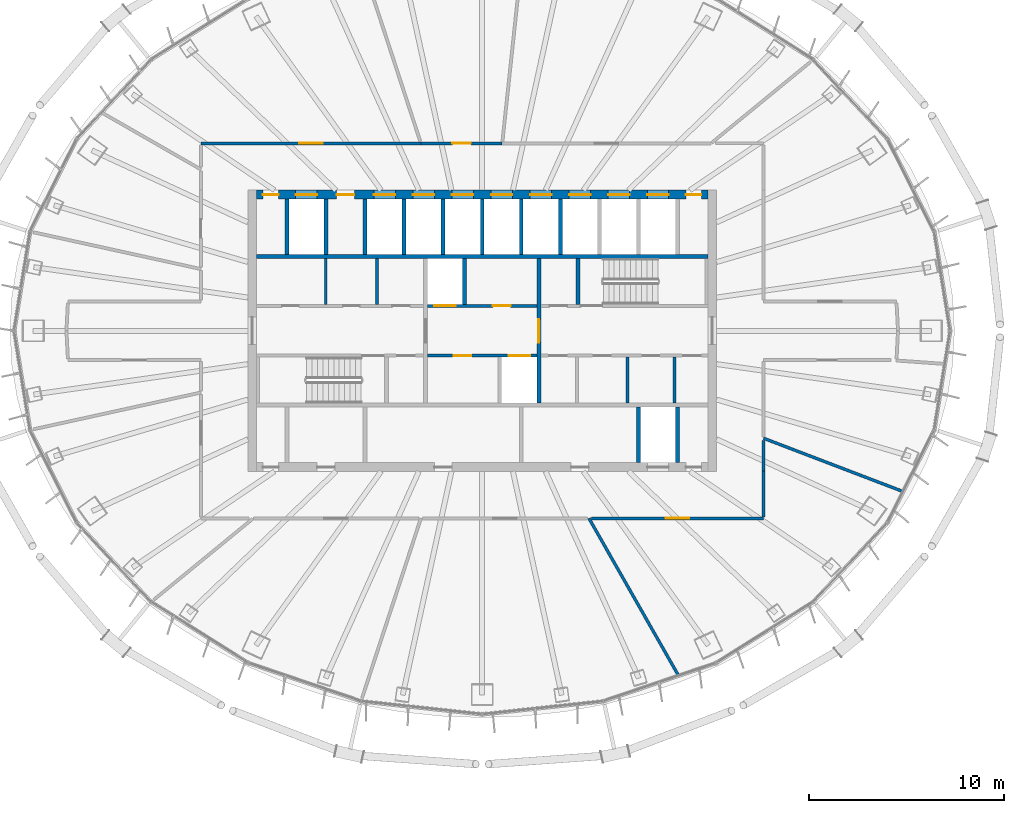
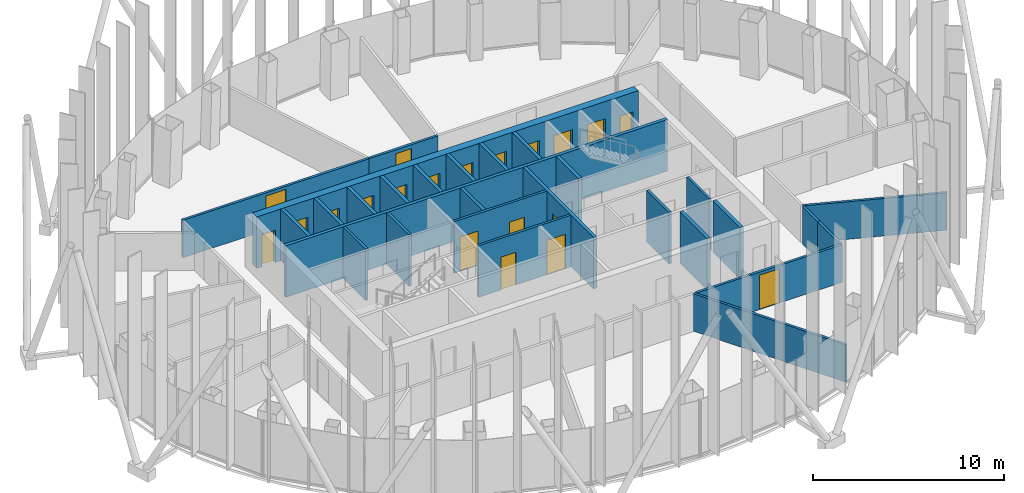
# One storey, part 10 of 18: 28 walls, 20 doors, 20 openings.
"""IFC4 building model written with IfcOpenShell, lengths in metres."""

from ifc_helpers import new_model, si_unit, direction, frame, frame_2d, origin, place, context, subcontext, project, spatial, rectangle, extrude, material, layer, layer_set, type_object, element, fill, save


model = new_model("IFC4")

# Units and contexts
model_context = context("Model", 3, precision=1e-05, world=origin(), true_north=direction((0.0, 1.0)))
body_context = subcontext(model_context, "Body", "Model", "MODEL_VIEW")
ifc_project = project(units=[si_unit("LENGTHUNIT", "METRE"), si_unit("AREAUNIT", "SQUARE_METRE"), si_unit("VOLUMEUNIT", "CUBIC_METRE"), si_unit("PLANEANGLEUNIT", "RADIAN"), si_unit("MASSUNIT", "GRAM", prefix="KILO")], contexts=[model_context])

# Site, building, storey
site_placement = place(None, origin())
site = spatial("IfcSite", under=ifc_project, at=site_placement, CompositionType="ELEMENT")
building_placement = place(site_placement, origin())
building = spatial("IfcBuilding", under=site, at=building_placement, Name="Siaravel Broadcast Tower", CompositionType="ELEMENT")
storey_placement = place(building_placement, frame((0.0, 0.0, 157.10009765625)))
storey = spatial("IfcBuildingStorey", under=building, at=storey_placement, Name="L37", CompositionType="ELEMENT", Elevation=157.10009765625)

# Walls
ifc_material_1 = material(Name="Concrete blockwork", Category="masonry")
ifc_layer_1 = layer(ifc_material_1, 0.14990234375)
ifc_layer_set_1 = layer_set([ifc_layer_1], Name="Concrete blockwork")
wall_type_1 = type_object("IfcWallType", Name="Core partition 150", PredefinedType="PARTITIONING", material=ifc_layer_set_1)
for number, where, z_axis, x_axis, name in (
    (1, (-8.010009765625, 1.35009765625, 0.0), (0.0, 0.0, 1.0), (0.0, 1.0, 0.0), "L37 core partition PNW0"),
    (2, (-5.385009765625, 1.35009765625, 0.0), (0.0, 0.0, 1.0), (0.0, 1.0, 0.0), "L37 core partition PNW1"),
    (3, (7.43701171875, -3.699951171875, 0.0), (0.0, 0.0, 1.0), (0.0, 1.0, 0.0), "L37 core partition PSE1"),
    (4, (9.85498046875, -3.699951171875, 0.0), (0.0, 0.0, 1.0), (0.0, 1.0, 0.0), "L37 core partition PSE2"),
):
    element("IfcWall", number, at=place(storey_placement, frame(where, z_axis=z_axis, x_axis=x_axis)), inside=storey, type_object=wall_type_1, Name=name, PredefinedType="PARTITIONING", context=body_context, shape_type="SweptSolid", body=[
        extrude(rectangle(XDim=2.349853515625, YDim=0.14990234375, at=frame_2d((1.1748046875, 0.0))), origin(), (0.0, 0.0, 1.0), 3.2998046875),
    ])

# Wall, openings, doors
ifc_material_2 = material(Name="Concrete C60/75", Category="concrete")
ifc_layer_2 = layer(ifc_material_2, 0.449951171875)
ifc_layer_set_2 = layer_set([ifc_layer_2], Name="Concrete C60/75")
wall_type_2 = type_object("IfcWallType", Name="Core wall 450", PredefinedType="SHEAR", material=ifc_layer_set_2)
wall_1_placement = place(storey_placement, frame((-11.550048828125, 6.97509765625, 0.0), z_axis=(0.0, 0.0, 1.0), x_axis=(1.0, 0.0, 0.0)))
wall_1 = element("IfcWall", 5, at=wall_1_placement, inside=storey, type_object=wall_type_2, Name="L37 core wall ON", PredefinedType="SHEAR", context=body_context, shape_type="SweptSolid", body=[
    extrude(rectangle(XDim=23.10009765625, YDim=0.449951171875, at=frame_2d((11.550048828125, 0.0))), origin(), (0.0, 0.0, 1.0), 3.2998046875),
])
opening_1_placement = place(wall_1_placement, frame((2.0, 0.0, 0.0)))
opening_1 = element("IfcOpeningElement", 6, at=opening_1_placement, cuts=wall_1, Name="Opening LD-SV2-L37", PredefinedType="OPENING", context=body_context, shape_type="SweptSolid", body=[
    extrude(rectangle(XDim=1.10009765625, YDim=2.199951171875, at=frame_2d((0.550048828125, 1.10009765625))), frame((0.0, 0.23486328125, 0.0), z_axis=(0.0, -1.0, 0.0), x_axis=(1.0, 0.0, 0.0)), (0.0, 0.0, 1.0), 0.469970703125),
])
opening_2_placement = place(wall_1_placement, frame((6.0, 0.0, 0.0)))
opening_2 = element("IfcOpeningElement", 7, at=opening_2_placement, cuts=wall_1, Name="Opening LD-HP1-L37", PredefinedType="OPENING", context=body_context, shape_type="SweptSolid", body=[
    extrude(rectangle(XDim=1.10009765625, YDim=2.199951171875, at=frame_2d((0.550048828125, 1.10009765625))), frame((0.0, 0.23486328125, 0.0), z_axis=(0.0, -1.0, 0.0), x_axis=(1.0, 0.0, 0.0)), (0.0, 0.0, 1.0), 0.469970703125),
])
opening_3_placement = place(wall_1_placement, frame((8.0, 0.0, 0.0)))
opening_3 = element("IfcOpeningElement", 8, at=opening_3_placement, cuts=wall_1, Name="Opening LD-HP2-L37", PredefinedType="OPENING", context=body_context, shape_type="SweptSolid", body=[
    extrude(rectangle(XDim=1.10009765625, YDim=2.199951171875, at=frame_2d((0.550048828125, 1.10009765625))), frame((0.0, 0.23486328125, 0.0), z_axis=(0.0, -1.0, 0.0), x_axis=(1.0, 0.0, 0.0)), (0.0, 0.0, 1.0), 0.469970703125),
])
opening_4_placement = place(wall_1_placement, frame((10.0, 0.0, 0.0)))
opening_4 = element("IfcOpeningElement", 9, at=opening_4_placement, cuts=wall_1, Name="Opening LD-HP3-L37", PredefinedType="OPENING", context=body_context, shape_type="SweptSolid", body=[
    extrude(rectangle(XDim=1.10009765625, YDim=2.199951171875, at=frame_2d((0.550048828125, 1.10009765625))), frame((0.0, 0.23486328125, 0.0), z_axis=(0.0, -1.0, 0.0), x_axis=(1.0, 0.0, 0.0)), (0.0, 0.0, 1.0), 0.469970703125),
])
opening_5_placement = place(wall_1_placement, frame((12.0, 0.0, 0.0)))
opening_5 = element("IfcOpeningElement", 10, at=opening_5_placement, cuts=wall_1, Name="Opening LD-HP4-L37", PredefinedType="OPENING", context=body_context, shape_type="SweptSolid", body=[
    extrude(rectangle(XDim=1.10009765625, YDim=2.199951171875, at=frame_2d((0.550048828125, 1.10009765625))), frame((0.0, 0.23486328125, 0.0), z_axis=(0.0, -1.0, 0.0), x_axis=(1.0, 0.0, 0.0)), (0.0, 0.0, 1.0), 0.469970703125),
])
opening_6_placement = place(wall_1_placement, frame((14.0, 0.0, 0.0)))
opening_6 = element("IfcOpeningElement", 11, at=opening_6_placement, cuts=wall_1, Name="Opening LD-HP5-L37", PredefinedType="OPENING", context=body_context, shape_type="SweptSolid", body=[
    extrude(rectangle(XDim=1.10009765625, YDim=2.199951171875, at=frame_2d((0.550048828125, 1.10009765625))), frame((0.0, 0.23486328125, 0.0), z_axis=(0.0, -1.0, 0.0), x_axis=(1.0, 0.0, 0.0)), (0.0, 0.0, 1.0), 0.469970703125),
])
opening_7_placement = place(wall_1_placement, frame((16.0, 0.0, 0.0)))
opening_7 = element("IfcOpeningElement", 12, at=opening_7_placement, cuts=wall_1, Name="Opening LD-HP6-L37", PredefinedType="OPENING", context=body_context, shape_type="SweptSolid", body=[
    extrude(rectangle(XDim=1.10009765625, YDim=2.199951171875, at=frame_2d((0.550048828125, 1.10009765625))), frame((0.0, 0.23486328125, 0.0), z_axis=(0.0, -1.0, 0.0), x_axis=(1.0, 0.0, 0.0)), (0.0, 0.0, 1.0), 0.469970703125),
])
opening_8_placement = place(wall_1_placement, frame((18.0, 0.0, 0.0)))
opening_8 = element("IfcOpeningElement", 13, at=opening_8_placement, cuts=wall_1, Name="Opening LD-HP7-L37", PredefinedType="OPENING", context=body_context, shape_type="SweptSolid", body=[
    extrude(rectangle(XDim=1.10009765625, YDim=2.199951171875, at=frame_2d((0.550048828125, 1.10009765625))), frame((0.0, 0.23486328125, 0.0), z_axis=(0.0, -1.0, 0.0), x_axis=(1.0, 0.0, 0.0)), (0.0, 0.0, 1.0), 0.469970703125),
])
opening_9_placement = place(wall_1_placement, frame((20.0, 0.0, 0.0)))
opening_9 = element("IfcOpeningElement", 14, at=opening_9_placement, cuts=wall_1, Name="Opening LD-HP8-L37", PredefinedType="OPENING", context=body_context, shape_type="SweptSolid", body=[
    extrude(rectangle(XDim=1.10009765625, YDim=2.199951171875, at=frame_2d((0.550048828125, 1.10009765625))), frame((0.0, 0.23486328125, 0.0), z_axis=(0.0, -1.0, 0.0), x_axis=(1.0, 0.0, 0.0)), (0.0, 0.0, 1.0), 0.469970703125),
])
opening_10_placement = place(wall_1_placement, frame((4.10009765625, 0.0, 0.0)))
opening_10 = element("IfcOpeningElement", 15, at=opening_10_placement, cuts=wall_1, Name="Opening L37-DFN1", PredefinedType="OPENING", context=body_context, shape_type="SweptSolid", body=[
    extrude(rectangle(XDim=0.89990234375, YDim=2.10009765625, at=frame_2d((0.449951171875, 1.050048828125))), frame((0.0, 0.23486328125, 0.0), z_axis=(0.0, -1.0, 0.0), x_axis=(1.0, 0.0, 0.0)), (0.0, 0.0, 1.0), 0.469970703125),
])
opening_11_placement = place(wall_1_placement, frame((0.324951171875, 0.0, 0.0)))
opening_11 = element("IfcOpeningElement", 16, at=opening_11_placement, cuts=wall_1, Name="Opening L37-DRNW", PredefinedType="OPENING", context=body_context, shape_type="SweptSolid", body=[
    extrude(rectangle(XDim=0.800048828125, YDim=2.050048828125, at=frame_2d((0.39990234375, 1.02490234375))), frame((0.0, 0.23486328125, 0.0), z_axis=(0.0, -1.0, 0.0), x_axis=(1.0, 0.0, 0.0)), (0.0, 0.0, 1.0), 0.469970703125),
])
opening_12_placement = place(wall_1_placement, frame((21.97509765625, 0.0, 0.0)))
opening_12 = element("IfcOpeningElement", 17, at=opening_12_placement, cuts=wall_1, Name="Opening L37-DRNE", PredefinedType="OPENING", context=body_context, shape_type="SweptSolid", body=[
    extrude(rectangle(XDim=0.800048828125, YDim=2.050048828125, at=frame_2d((0.39990234375, 1.02490234375))), frame((0.0, 0.23486328125, 0.0), z_axis=(0.0, -1.0, 0.0), x_axis=(1.0, 0.0, 0.0)), (0.0, 0.0, 1.0), 0.469970703125),
])
ifc_material_3 = material(Name="Timber veneer", Category="wood")
door_type_1 = type_object("IfcDoorType", Name="Core room door 900", OperationType="SINGLE_SWING_LEFT", PredefinedType="DOOR", material=ifc_material_3)
door_1_placement = place(opening_10_placement, origin())
door_1 = element("IfcDoor", 18, at=door_1_placement, inside=storey, type_object=door_type_1, Name="L37 door DFN1", OperationType="SINGLE_SWING_LEFT", OverallHeight=2.10009765625, OverallWidth=0.89990234375, PredefinedType="DOOR", context=body_context, shape_type="SweptSolid", body=[
    extrude(rectangle(XDim=0.89990234375, YDim=2.10009765625, at=frame_2d((0.449951171875, 1.050048828125))), frame((0.0, 0.02490234375, 0.0), z_axis=(0.0, -1.0, 0.0), x_axis=(1.0, 0.0, 0.0)), (0.0, 0.0, 1.0), 0.050048828125),
])
fill(opening_10, door_1)
ifc_material_4 = material(Name="Stainless steel 316L", Category="steel")
door_type_2 = type_object("IfcDoorType", Name="Lift landing door 1100", OperationType="DOUBLE_DOOR_SLIDING", PredefinedType="DOOR", material=ifc_material_4)
door_2_placement = place(opening_2_placement, origin())
door_2 = element("IfcDoor", 19, at=door_2_placement, inside=storey, type_object=door_type_2, Name="Landing door HP1 L37", OperationType="DOUBLE_DOOR_SLIDING", OverallHeight=2.199951171875, OverallWidth=1.10009765625, PredefinedType="DOOR", context=body_context, shape_type="SweptSolid", body=[
    extrude(rectangle(XDim=1.10009765625, YDim=2.199951171875, at=frame_2d((0.550048828125, 1.10009765625))), frame((0.0, 0.02490234375, 0.0), z_axis=(0.0, -1.0, 0.0), x_axis=(1.0, 0.0, 0.0)), (0.0, 0.0, 1.0), 0.050048828125),
])
fill(opening_2, door_2)
door_3_placement = place(opening_3_placement, origin())
door_3 = element("IfcDoor", 20, at=door_3_placement, inside=storey, type_object=door_type_2, Name="Landing door HP2 L37", OperationType="DOUBLE_DOOR_SLIDING", OverallHeight=2.199951171875, OverallWidth=1.10009765625, PredefinedType="DOOR", context=body_context, shape_type="SweptSolid", body=[
    extrude(rectangle(XDim=1.10009765625, YDim=2.199951171875, at=frame_2d((0.550048828125, 1.10009765625))), frame((0.0, 0.02490234375, 0.0), z_axis=(0.0, -1.0, 0.0), x_axis=(1.0, 0.0, 0.0)), (0.0, 0.0, 1.0), 0.050048828125),
])
fill(opening_3, door_3)
door_4_placement = place(opening_4_placement, origin())
door_4 = element("IfcDoor", 21, at=door_4_placement, inside=storey, type_object=door_type_2, Name="Landing door HP3 L37", OperationType="DOUBLE_DOOR_SLIDING", OverallHeight=2.199951171875, OverallWidth=1.10009765625, PredefinedType="DOOR", context=body_context, shape_type="SweptSolid", body=[
    extrude(rectangle(XDim=1.10009765625, YDim=2.199951171875, at=frame_2d((0.550048828125, 1.10009765625))), frame((0.0, 0.02490234375, 0.0), z_axis=(0.0, -1.0, 0.0), x_axis=(1.0, 0.0, 0.0)), (0.0, 0.0, 1.0), 0.050048828125),
])
fill(opening_4, door_4)
door_5_placement = place(opening_5_placement, origin())
door_5 = element("IfcDoor", 22, at=door_5_placement, inside=storey, type_object=door_type_2, Name="Landing door HP4 L37", OperationType="DOUBLE_DOOR_SLIDING", OverallHeight=2.199951171875, OverallWidth=1.10009765625, PredefinedType="DOOR", context=body_context, shape_type="SweptSolid", body=[
    extrude(rectangle(XDim=1.10009765625, YDim=2.199951171875, at=frame_2d((0.550048828125, 1.10009765625))), frame((0.0, 0.02490234375, 0.0), z_axis=(0.0, -1.0, 0.0), x_axis=(1.0, 0.0, 0.0)), (0.0, 0.0, 1.0), 0.050048828125),
])
fill(opening_5, door_5)
door_6_placement = place(opening_6_placement, origin())
door_6 = element("IfcDoor", 23, at=door_6_placement, inside=storey, type_object=door_type_2, Name="Landing door HP5 L37", OperationType="DOUBLE_DOOR_SLIDING", OverallHeight=2.199951171875, OverallWidth=1.10009765625, PredefinedType="DOOR", context=body_context, shape_type="SweptSolid", body=[
    extrude(rectangle(XDim=1.10009765625, YDim=2.199951171875, at=frame_2d((0.550048828125, 1.10009765625))), frame((0.0, 0.02490234375, 0.0), z_axis=(0.0, -1.0, 0.0), x_axis=(1.0, 0.0, 0.0)), (0.0, 0.0, 1.0), 0.050048828125),
])
fill(opening_6, door_6)
door_7_placement = place(opening_7_placement, origin())
door_7 = element("IfcDoor", 24, at=door_7_placement, inside=storey, type_object=door_type_2, Name="Landing door HP6 L37", OperationType="DOUBLE_DOOR_SLIDING", OverallHeight=2.199951171875, OverallWidth=1.10009765625, PredefinedType="DOOR", context=body_context, shape_type="SweptSolid", body=[
    extrude(rectangle(XDim=1.10009765625, YDim=2.199951171875, at=frame_2d((0.550048828125, 1.10009765625))), frame((0.0, 0.02490234375, 0.0), z_axis=(0.0, -1.0, 0.0), x_axis=(1.0, 0.0, 0.0)), (0.0, 0.0, 1.0), 0.050048828125),
])
fill(opening_7, door_7)
door_8_placement = place(opening_8_placement, origin())
door_8 = element("IfcDoor", 25, at=door_8_placement, inside=storey, type_object=door_type_2, Name="Landing door HP7 L37", OperationType="DOUBLE_DOOR_SLIDING", OverallHeight=2.199951171875, OverallWidth=1.10009765625, PredefinedType="DOOR", context=body_context, shape_type="SweptSolid", body=[
    extrude(rectangle(XDim=1.10009765625, YDim=2.199951171875, at=frame_2d((0.550048828125, 1.10009765625))), frame((0.0, 0.02490234375, 0.0), z_axis=(0.0, -1.0, 0.0), x_axis=(1.0, 0.0, 0.0)), (0.0, 0.0, 1.0), 0.050048828125),
])
fill(opening_8, door_8)
door_9_placement = place(opening_9_placement, origin())
door_9 = element("IfcDoor", 26, at=door_9_placement, inside=storey, type_object=door_type_2, Name="Landing door HP8 L37", OperationType="DOUBLE_DOOR_SLIDING", OverallHeight=2.199951171875, OverallWidth=1.10009765625, PredefinedType="DOOR", context=body_context, shape_type="SweptSolid", body=[
    extrude(rectangle(XDim=1.10009765625, YDim=2.199951171875, at=frame_2d((0.550048828125, 1.10009765625))), frame((0.0, 0.02490234375, 0.0), z_axis=(0.0, -1.0, 0.0), x_axis=(1.0, 0.0, 0.0)), (0.0, 0.0, 1.0), 0.050048828125),
])
fill(opening_9, door_9)
ifc_material_5 = material(Name="Steel", Category="steel")
door_type_3 = type_object("IfcDoorType", Name="Riser door 800", OperationType="SINGLE_SWING_LEFT", PredefinedType="DOOR", material=ifc_material_5)
door_10_placement = place(opening_11_placement, origin())
door_10 = element("IfcDoor", 27, at=door_10_placement, inside=storey, type_object=door_type_3, Name="L37 door DRNW", OperationType="SINGLE_SWING_LEFT", OverallHeight=2.050048828125, OverallWidth=0.800048828125, PredefinedType="DOOR", context=body_context, shape_type="SweptSolid", body=[
    extrude(rectangle(XDim=0.800048828125, YDim=2.050048828125, at=frame_2d((0.39990234375, 1.02490234375))), frame((0.0, 0.02490234375, 0.0), z_axis=(0.0, -1.0, 0.0), x_axis=(1.0, 0.0, 0.0)), (0.0, 0.0, 1.0), 0.050048828125),
])
fill(opening_11, door_10)
door_11_placement = place(opening_12_placement, origin())
door_11 = element("IfcDoor", 28, at=door_11_placement, inside=storey, type_object=door_type_3, Name="L37 door DRNE", OperationType="SINGLE_SWING_LEFT", OverallHeight=2.050048828125, OverallWidth=0.800048828125, PredefinedType="DOOR", context=body_context, shape_type="SweptSolid", body=[
    extrude(rectangle(XDim=0.800048828125, YDim=2.050048828125, at=frame_2d((0.39990234375, 1.02490234375))), frame((0.0, 0.02490234375, 0.0), z_axis=(0.0, -1.0, 0.0), x_axis=(1.0, 0.0, 0.0)), (0.0, 0.0, 1.0), 0.050048828125),
])
fill(opening_12, door_11)
door_type_4 = type_object("IfcDoorType", Name="Service lift landing door 1100", OperationType="DOUBLE_DOOR_SLIDING", PredefinedType="DOOR", material=ifc_material_4)
door_12_placement = place(opening_1_placement, origin())
door_12 = element("IfcDoor", 29, at=door_12_placement, inside=storey, type_object=door_type_4, Name="Landing door SV2 L37", OperationType="DOUBLE_DOOR_SLIDING", OverallHeight=2.199951171875, OverallWidth=1.10009765625, PredefinedType="DOOR", context=body_context, shape_type="SweptSolid", body=[
    extrude(rectangle(XDim=1.10009765625, YDim=2.199951171875, at=frame_2d((0.550048828125, 1.10009765625))), frame((0.0, 0.02490234375, 0.0), z_axis=(0.0, -1.0, 0.0), x_axis=(1.0, 0.0, 0.0)), (0.0, 0.0, 1.0), 0.050048828125),
])
fill(opening_1, door_12)

# Wall, opening, door
ifc_material_6 = material(Name="Gypsum board partition", Category="gypsum")
ifc_layer_3 = layer(ifc_material_6, 0.14990234375)
ifc_layer_set_3 = layer_set([ifc_layer_3], Name="Gypsum board partition")
wall_type_3 = type_object("IfcWallType", Name="Corridor wall 150", PredefinedType="PARTITIONING", material=ifc_layer_set_3)
wall_2_placement = place(storey_placement, frame((-3.140380859375, 9.60009765625, 0.0), z_axis=(0.0, 0.0, 1.0), x_axis=(-1.0, 0.0, 0.0)))
wall_2 = element("IfcWall", 30, at=wall_2_placement, inside=storey, type_object=wall_type_3, Name="L37 partition 1", PredefinedType="PARTITIONING", context=body_context, shape_type="SweptSolid", body=[
    extrude(rectangle(XDim=11.259521484375, YDim=0.14990234375, at=frame_2d((5.6298828125, 0.0))), origin(), (0.0, 0.0, 1.0), 2.39990234375),
])
opening_13_placement = place(wall_2_placement, frame((5.02978515625, 0.0, 0.0)))
opening_13 = element("IfcOpeningElement", 31, at=opening_13_placement, cuts=wall_2, Name="Opening L37-004", PredefinedType="OPENING", context=body_context, shape_type="SweptSolid", body=[
    extrude(rectangle(XDim=1.199951171875, YDim=2.199951171875, at=frame_2d((0.60009765625, 1.10009765625))), frame((0.0, 0.0849609375, 0.0), z_axis=(0.0, -1.0, 0.0), x_axis=(1.0, 0.0, 0.0)), (0.0, 0.0, 1.0), 0.169921875),
])
door_type_5 = type_object("IfcDoorType", Name="Office double door 1200", OperationType="DOUBLE_DOOR_SINGLE_SWING", PredefinedType="DOOR", material=ifc_material_3)
door_13_placement = place(opening_13_placement, origin())
door_13 = element("IfcDoor", 32, at=door_13_placement, inside=storey, type_object=door_type_5, Name="L37 door to Open plan office", OperationType="DOUBLE_DOOR_SINGLE_SWING", OverallHeight=2.199951171875, OverallWidth=1.199951171875, PredefinedType="DOOR", context=body_context, shape_type="SweptSolid", body=[
    extrude(rectangle(XDim=1.199951171875, YDim=2.199951171875, at=frame_2d((0.60009765625, 1.10009765625))), frame((0.0, 0.02490234375, 0.0), z_axis=(0.0, -1.0, 0.0), x_axis=(1.0, 0.0, 0.0)), (0.0, 0.0, 1.0), 0.050048828125),
])
fill(opening_13, door_13)

wall_3_placement = place(storey_placement, frame((5.59619140625, -9.60009765625, 0.0), z_axis=(0.0, 0.0, 1.0), x_axis=(1.0, 0.0, 0.0)))
wall_3 = element("IfcWall", 33, at=wall_3_placement, inside=storey, type_object=wall_type_3, Name="L37 partition 7", PredefinedType="PARTITIONING", context=body_context, shape_type="SweptSolid", body=[
    extrude(rectangle(XDim=8.8037109375, YDim=0.14990234375, at=frame_2d((4.40185546875, 0.0))), origin(), (0.0, 0.0, 1.0), 2.39990234375),
])
opening_14_placement = place(wall_3_placement, frame((3.802001953125, 0.0, 0.0)))
opening_14 = element("IfcOpeningElement", 34, at=opening_14_placement, cuts=wall_3, Name="Opening L37-010", PredefinedType="OPENING", context=body_context, shape_type="SweptSolid", body=[
    extrude(rectangle(XDim=1.199951171875, YDim=2.199951171875, at=frame_2d((0.60009765625, 1.10009765625))), frame((0.0, 0.0849609375, 0.0), z_axis=(0.0, -1.0, 0.0), x_axis=(1.0, 0.0, 0.0)), (0.0, 0.0, 1.0), 0.169921875),
])
door_14_placement = place(opening_14_placement, origin())
door_14 = element("IfcDoor", 35, at=door_14_placement, inside=storey, type_object=door_type_5, Name="L37 door to Open plan office", OperationType="DOUBLE_DOOR_SINGLE_SWING", OverallHeight=2.199951171875, OverallWidth=1.199951171875, PredefinedType="DOOR", context=body_context, shape_type="SweptSolid", body=[
    extrude(rectangle(XDim=1.199951171875, YDim=2.199951171875, at=frame_2d((0.60009765625, 1.10009765625))), frame((0.0, 0.02490234375, 0.0), z_axis=(0.0, -1.0, 0.0), x_axis=(1.0, 0.0, 0.0)), (0.0, 0.0, 1.0), 0.050048828125),
])
fill(opening_14, door_14)

wall_4_placement = place(storey_placement, frame((1.025390625, 9.60009765625, 0.0), z_axis=(0.0, 0.0, 1.0), x_axis=(-1.0, 0.0, 0.0)))
wall_4 = element("IfcWall", 36, at=wall_4_placement, inside=storey, type_object=wall_type_3, Name="L37 partition 21", PredefinedType="PARTITIONING", context=body_context, shape_type="SweptSolid", body=[
    extrude(rectangle(XDim=4.164794921875, YDim=0.14990234375, at=frame_2d((2.08251953125, 0.0))), origin(), (0.0, 0.0, 1.0), 2.39990234375),
])
opening_15_placement = place(wall_4_placement, frame((1.607421875, 0.0, 0.0)))
opening_15 = element("IfcOpeningElement", 37, at=opening_15_placement, cuts=wall_4, Name="Opening L37-003", PredefinedType="OPENING", context=body_context, shape_type="SweptSolid", body=[
    extrude(rectangle(XDim=0.949951171875, YDim=2.14990234375, at=frame_2d((0.47509765625, 1.074951171875))), frame((0.0, 0.0849609375, 0.0), z_axis=(0.0, -1.0, 0.0), x_axis=(1.0, 0.0, 0.0)), (0.0, 0.0, 1.0), 0.169921875),
])
door_type_6 = type_object("IfcDoorType", Name="Office door 950", OperationType="SINGLE_SWING_LEFT", PredefinedType="DOOR", material=ifc_material_3)
door_15_placement = place(opening_15_placement, origin())
door_15 = element("IfcDoor", 38, at=door_15_placement, inside=storey, type_object=door_type_6, Name="L37 door to Reception", OperationType="SINGLE_SWING_LEFT", OverallHeight=2.14990234375, OverallWidth=0.949951171875, PredefinedType="DOOR", context=body_context, shape_type="SweptSolid", body=[
    extrude(rectangle(XDim=0.949951171875, YDim=2.14990234375, at=frame_2d((0.47509765625, 1.074951171875))), frame((0.0, 0.02490234375, 0.0), z_axis=(0.0, -1.0, 0.0), x_axis=(1.0, 0.0, 0.0)), (0.0, 0.0, 1.0), 0.050048828125),
])
fill(opening_15, door_15)

# Walls
wall_5_placement = place(storey_placement, frame((14.39990234375, -9.52294921875, 0.0), z_axis=(0.0, 0.0, 1.0), x_axis=(0.0, 1.0, 0.0)))
element("IfcWall", 39, at=wall_5_placement, inside=storey, type_object=wall_type_3, Name="L37 partition 30", PredefinedType="PARTITIONING", context=body_context, shape_type="SweptSolid", body=[
    extrude(rectangle(XDim=2.3349609375, YDim=0.14990234375, at=frame_2d((1.16748046875, 0.0))), origin(), (0.0, 0.0, 1.0), 2.39990234375),
])
wall_6_placement = place(storey_placement, frame((14.39990234375, -7.18701171875, 0.0), z_axis=(0.0, 0.0, 1.0), x_axis=(0.0, 1.0, 0.0)))
element("IfcWall", 40, at=wall_6_placement, inside=storey, type_object=wall_type_3, Name="L37 partition 31", PredefinedType="PARTITIONING", context=body_context, shape_type="SweptSolid", body=[
    extrude(rectangle(XDim=1.575927734375, YDim=0.14990234375, at=frame_2d((0.7880859375, 0.0))), origin(), (0.0, 0.0, 1.0), 2.39990234375),
])
ifc_layer_4 = layer(ifc_material_6, 0.14990234375)
ifc_layer_set_4 = layer_set([ifc_layer_4], Name="Gypsum board partition")
wall_type_4 = type_object("IfcWallType", Name="Room partition 150", PredefinedType="PARTITIONING", material=ifc_layer_set_4)
wall_7_placement = place(storey_placement, frame((10.04638671875, -17.647216796875, 0.0), z_axis=(0.0, 0.0, 1.0), x_axis=(-0.494749853, 0.869035433, 0.0)))
element("IfcWall", 41, at=wall_7_placement, inside=storey, type_object=wall_type_4, Name="L37 partition 6", PredefinedType="PARTITIONING", context=body_context, shape_type="SweptSolid", body=[
    extrude(rectangle(XDim=9.259765625, YDim=0.14990234375, at=frame_2d((4.6298828125, 0.0))), origin(), (0.0, 0.0, 1.0), 2.39990234375),
])
wall_8_placement = place(storey_placement, frame((21.559814453125, -8.235107421875, 0.0), z_axis=(0.0, 0.0, 1.0), x_axis=(-0.93417148, 0.356824391, 0.0)))
element("IfcWall", 42, at=wall_8_placement, inside=storey, type_object=wall_type_4, Name="L37 partition 12", PredefinedType="PARTITIONING", context=body_context, shape_type="SweptSolid", body=[
    extrude(rectangle(XDim=7.66455078125, YDim=0.14990234375, at=frame_2d((3.832275390625, 0.0))), origin(), (0.0, 0.0, 1.0), 2.39990234375),
])

# Wall, openings, doors
ifc_layer_5 = layer(ifc_material_2, 0.14990234375)
ifc_layer_set_5 = layer_set([ifc_layer_5], Name="Concrete C60/75")
wall_type_5 = type_object("IfcWallType", Name="Shaft wall 150", PredefinedType="SHEAR", material=ifc_layer_set_5)
wall_9_placement = place(storey_placement, frame((-2.800048828125, -1.27490234375, 0.0), z_axis=(0.0, 0.0, 1.0), x_axis=(1.0, 0.0, 0.0)))
wall_9 = element("IfcWall", 43, at=wall_9_placement, inside=storey, type_object=wall_type_5, Name="L37 core wall CSM", PredefinedType="SHEAR", context=body_context, shape_type="SweptSolid", body=[
    extrude(rectangle(XDim=5.60009765625, YDim=0.14990234375, at=frame_2d((2.800048828125, 0.0))), origin(), (0.0, 0.0, 1.0), 3.2998046875),
])
opening_16_placement = place(wall_9_placement, frame((4.14990234375, 0.0, 0.0)))
opening_16 = element("IfcOpeningElement", 44, at=opening_16_placement, cuts=wall_9, Name="Opening LD-FL2-L37", PredefinedType="OPENING", context=body_context, shape_type="SweptSolid", body=[
    extrude(rectangle(XDim=1.10009765625, YDim=2.199951171875, at=frame_2d((0.550048828125, 1.10009765625))), frame((0.0, 0.0849609375, 0.0), z_axis=(0.0, -1.0, 0.0), x_axis=(1.0, 0.0, 0.0)), (0.0, 0.0, 1.0), 0.169921875),
])
opening_17_placement = place(wall_9_placement, frame((1.35009765625, 0.0, 0.0)))
opening_17 = element("IfcOpeningElement", 45, at=opening_17_placement, cuts=wall_9, Name="Opening L37-DSM0", PredefinedType="OPENING", context=body_context, shape_type="SweptSolid", body=[
    extrude(rectangle(XDim=0.89990234375, YDim=2.10009765625, at=frame_2d((0.449951171875, 1.050048828125))), frame((0.0, 0.0849609375, 0.0), z_axis=(0.0, -1.0, 0.0), x_axis=(1.0, 0.0, 0.0)), (0.0, 0.0, 1.0), 0.169921875),
])
door_16_placement = place(opening_17_placement, origin())
door_16 = element("IfcDoor", 46, at=door_16_placement, inside=storey, type_object=door_type_1, Name="L37 door DSM0", OperationType="SINGLE_SWING_LEFT", OverallHeight=2.10009765625, OverallWidth=0.89990234375, PredefinedType="DOOR", context=body_context, shape_type="SweptSolid", body=[
    extrude(rectangle(XDim=0.89990234375, YDim=2.10009765625, at=frame_2d((0.449951171875, 1.050048828125))), frame((0.0, 0.02490234375, 0.0), z_axis=(0.0, -1.0, 0.0), x_axis=(1.0, 0.0, 0.0)), (0.0, 0.0, 1.0), 0.050048828125),
])
fill(opening_17, door_16)
door_type_7 = type_object("IfcDoorType", Name="Firefighting lift landing door 1100", OperationType="DOUBLE_DOOR_SLIDING", PredefinedType="DOOR", material=ifc_material_4)
door_17_placement = place(opening_16_placement, origin())
door_17 = element("IfcDoor", 47, at=door_17_placement, inside=storey, type_object=door_type_7, Name="Landing door FL2 L37", OperationType="DOUBLE_DOOR_SLIDING", OverallHeight=2.199951171875, OverallWidth=1.10009765625, PredefinedType="DOOR", context=body_context, shape_type="SweptSolid", body=[
    extrude(rectangle(XDim=1.10009765625, YDim=2.199951171875, at=frame_2d((0.550048828125, 1.10009765625))), frame((0.0, 0.02490234375, 0.0), z_axis=(0.0, -1.0, 0.0), x_axis=(1.0, 0.0, 0.0)), (0.0, 0.0, 1.0), 0.050048828125),
])
fill(opening_16, door_17)

wall_10_placement = place(storey_placement, frame((-2.800048828125, 1.27490234375, 0.0), z_axis=(0.0, 0.0, 1.0), x_axis=(1.0, 0.0, 0.0)))
wall_10 = element("IfcWall", 48, at=wall_10_placement, inside=storey, type_object=wall_type_5, Name="L37 core wall CNM", PredefinedType="SHEAR", context=body_context, shape_type="SweptSolid", body=[
    extrude(rectangle(XDim=5.60009765625, YDim=0.14990234375, at=frame_2d((2.800048828125, 0.0))), origin(), (0.0, 0.0, 1.0), 3.2998046875),
])
opening_18_placement = place(wall_10_placement, frame((0.35009765625, 0.0, 0.0)))
opening_18 = element("IfcOpeningElement", 49, at=opening_18_placement, cuts=wall_10, Name="Opening LD-FL1-L37", PredefinedType="OPENING", context=body_context, shape_type="SweptSolid", body=[
    extrude(rectangle(XDim=1.10009765625, YDim=2.199951171875, at=frame_2d((0.550048828125, 1.10009765625))), frame((0.0, 0.0849609375, 0.0), z_axis=(0.0, -1.0, 0.0), x_axis=(1.0, 0.0, 0.0)), (0.0, 0.0, 1.0), 0.169921875),
])
opening_19_placement = place(wall_10_placement, frame((3.35009765625, 0.0, 0.0)))
opening_19 = element("IfcOpeningElement", 50, at=opening_19_placement, cuts=wall_10, Name="Opening L37-DNM0", PredefinedType="OPENING", context=body_context, shape_type="SweptSolid", body=[
    extrude(rectangle(XDim=0.89990234375, YDim=2.10009765625, at=frame_2d((0.449951171875, 1.050048828125))), frame((0.0, 0.0849609375, 0.0), z_axis=(0.0, -1.0, 0.0), x_axis=(1.0, 0.0, 0.0)), (0.0, 0.0, 1.0), 0.169921875),
])
door_18_placement = place(opening_19_placement, origin())
door_18 = element("IfcDoor", 51, at=door_18_placement, inside=storey, type_object=door_type_1, Name="L37 door DNM0", OperationType="SINGLE_SWING_LEFT", OverallHeight=2.10009765625, OverallWidth=0.89990234375, PredefinedType="DOOR", context=body_context, shape_type="SweptSolid", body=[
    extrude(rectangle(XDim=0.89990234375, YDim=2.10009765625, at=frame_2d((0.449951171875, 1.050048828125))), frame((0.0, 0.02490234375, 0.0), z_axis=(0.0, -1.0, 0.0), x_axis=(1.0, 0.0, 0.0)), (0.0, 0.0, 1.0), 0.050048828125),
])
fill(opening_19, door_18)
door_19_placement = place(opening_18_placement, origin())
door_19 = element("IfcDoor", 52, at=door_19_placement, inside=storey, type_object=door_type_7, Name="Landing door FL1 L37", OperationType="DOUBLE_DOOR_SLIDING", OverallHeight=2.199951171875, OverallWidth=1.10009765625, PredefinedType="DOOR", context=body_context, shape_type="SweptSolid", body=[
    extrude(rectangle(XDim=1.10009765625, YDim=2.199951171875, at=frame_2d((0.550048828125, 1.10009765625))), frame((0.0, 0.02490234375, 0.0), z_axis=(0.0, -1.0, 0.0), x_axis=(1.0, 0.0, 0.0)), (0.0, 0.0, 1.0), 0.050048828125),
])
fill(opening_18, door_19)

# Walls
ifc_layer_6 = layer(ifc_material_2, 0.199951171875)
ifc_layer_set_6 = layer_set([ifc_layer_6], Name="Concrete C60/75")
wall_type_6 = type_object("IfcWallType", Name="Shaft wall 200", PredefinedType="SHEAR", material=ifc_layer_set_6)
wall_11_placement = place(storey_placement, frame((-11.550048828125, 3.800048828125, 0.0), z_axis=(0.0, 0.0, 1.0), x_axis=(1.0, 0.0, 0.0)))
element("IfcWall", 53, at=wall_11_placement, inside=storey, type_object=wall_type_6, Name="L37 core wall BN", PredefinedType="SHEAR", context=body_context, shape_type="SweptSolid", body=[
    extrude(rectangle(XDim=23.10009765625, YDim=0.199951171875, at=frame_2d((11.550048828125, 0.0))), origin(), (0.0, 0.0, 1.0), 3.2998046875),
])
for number, where, z_axis, x_axis, name in (
    (54, (8.0, -6.75, 0.0), (0.0, 0.0, 1.0), (0.0, 1.0, 0.0), "L37 core wall SWS9"),
    (55, (10.0, -6.75, 0.0), (0.0, 0.0, 1.0), (0.0, 1.0, 0.0), "L37 core wall SWS10"),
    (56, (-10.0, 3.89990234375, 0.0), (0.0, 0.0, 1.0), (0.0, 1.0, 0.0), "L37 core wall SWN0"),
    (57, (-8.0, 3.89990234375, 0.0), (0.0, 0.0, 1.0), (0.0, 1.0, 0.0), "L37 core wall SWN1"),
    (58, (-6.0, 3.89990234375, 0.0), (0.0, 0.0, 1.0), (0.0, 1.0, 0.0), "L37 core wall SWN2"),
    (59, (-4.0, 3.89990234375, 0.0), (0.0, 0.0, 1.0), (0.0, 1.0, 0.0), "L37 core wall SWN3"),
    (60, (-2.0, 3.89990234375, 0.0), (0.0, 0.0, 1.0), (0.0, 1.0, 0.0), "L37 core wall SWN4"),
    (61, (0.0, 3.89990234375, 0.0), (0.0, 0.0, 1.0), (0.0, 1.0, 0.0), "L37 core wall SWN5"),
    (62, (2.0, 3.89990234375, 0.0), (0.0, 0.0, 1.0), (0.0, 1.0, 0.0), "L37 core wall SWN6"),
    (63, (4.0, 3.89990234375, 0.0), (0.0, 0.0, 1.0), (0.0, 1.0, 0.0), "L37 core wall SWN7"),
):
    element("IfcWall", number, at=place(storey_placement, frame(where, z_axis=z_axis, x_axis=x_axis)), inside=storey, type_object=wall_type_6, Name=name, PredefinedType="SHEAR", context=body_context, shape_type="SweptSolid", body=[
        extrude(rectangle(XDim=2.85009765625, YDim=0.199951171875, at=frame_2d((1.425048828125, 0.0))), origin(), (0.0, 0.0, 1.0), 3.2998046875),
    ])

# Wall, opening, door
wall_12_placement = place(storey_placement, frame((2.89990234375, -3.699951171875, 0.0), z_axis=(0.0, 0.0, 1.0), x_axis=(0.0, 1.0, 0.0)))
wall_12 = element("IfcWall", 64, at=wall_12_placement, inside=storey, type_object=wall_type_6, Name="L37 core wall LE", PredefinedType="SHEAR", context=body_context, shape_type="SweptSolid", body=[
    extrude(rectangle(XDim=7.39990234375, YDim=0.199951171875, at=frame_2d((3.699951171875, 0.0))), origin(), (0.0, 0.0, 1.0), 3.2998046875),
])
opening_20_placement = place(wall_12_placement, frame((3.10009765625, 0.0, 0.0)))
opening_20 = element("IfcOpeningElement", 65, at=opening_20_placement, cuts=wall_12, Name="Opening L37-DL-E", PredefinedType="OPENING", context=body_context, shape_type="SweptSolid", body=[
    extrude(rectangle(XDim=1.199951171875, YDim=2.199951171875, at=frame_2d((0.60009765625, 1.10009765625))), frame((0.0, 0.10986328125, 0.0), z_axis=(0.0, -1.0, 0.0), x_axis=(1.0, 0.0, 0.0)), (0.0, 0.0, 1.0), 0.219970703125),
])
door_type_8 = type_object("IfcDoorType", Name="Firefighting lobby door 1200", OperationType="SINGLE_SWING_LEFT", PredefinedType="DOOR", material=ifc_material_5)
door_20_placement = place(opening_20_placement, origin())
door_20 = element("IfcDoor", 66, at=door_20_placement, inside=storey, type_object=door_type_8, Name="L37 door DL-E", OperationType="SINGLE_SWING_LEFT", OverallHeight=2.199951171875, OverallWidth=1.199951171875, PredefinedType="DOOR", context=body_context, shape_type="SweptSolid", body=[
    extrude(rectangle(XDim=1.199951171875, YDim=2.199951171875, at=frame_2d((0.60009765625, 1.10009765625))), frame((0.0, 0.02490234375, 0.0), z_axis=(0.0, -1.0, 0.0), x_axis=(1.0, 0.0, 0.0)), (0.0, 0.0, 1.0), 0.050048828125),
])
fill(opening_20, door_20)

# Walls
for number, where, z_axis, x_axis, name in (
    (67, (-0.89990234375, 1.35009765625, 0.0), (0.0, 0.0, 1.0), (0.0, 1.0, 0.0), "L37 core wall FF1E"),
    (68, (4.89990234375, 1.35009765625, 0.0), (0.0, 0.0, 1.0), (0.0, 1.0, 0.0), "L37 core wall ST2W"),
):
    element("IfcWall", number, at=place(storey_placement, frame(where, z_axis=z_axis, x_axis=x_axis)), inside=storey, type_object=wall_type_6, Name=name, PredefinedType="SHEAR", context=body_context, shape_type="SweptSolid", body=[
        extrude(rectangle(XDim=2.349853515625, YDim=0.199951171875, at=frame_2d((1.1748046875, 0.0))), origin(), (0.0, 0.0, 1.0), 3.2998046875),
    ])

save(model, "model.ifc")
